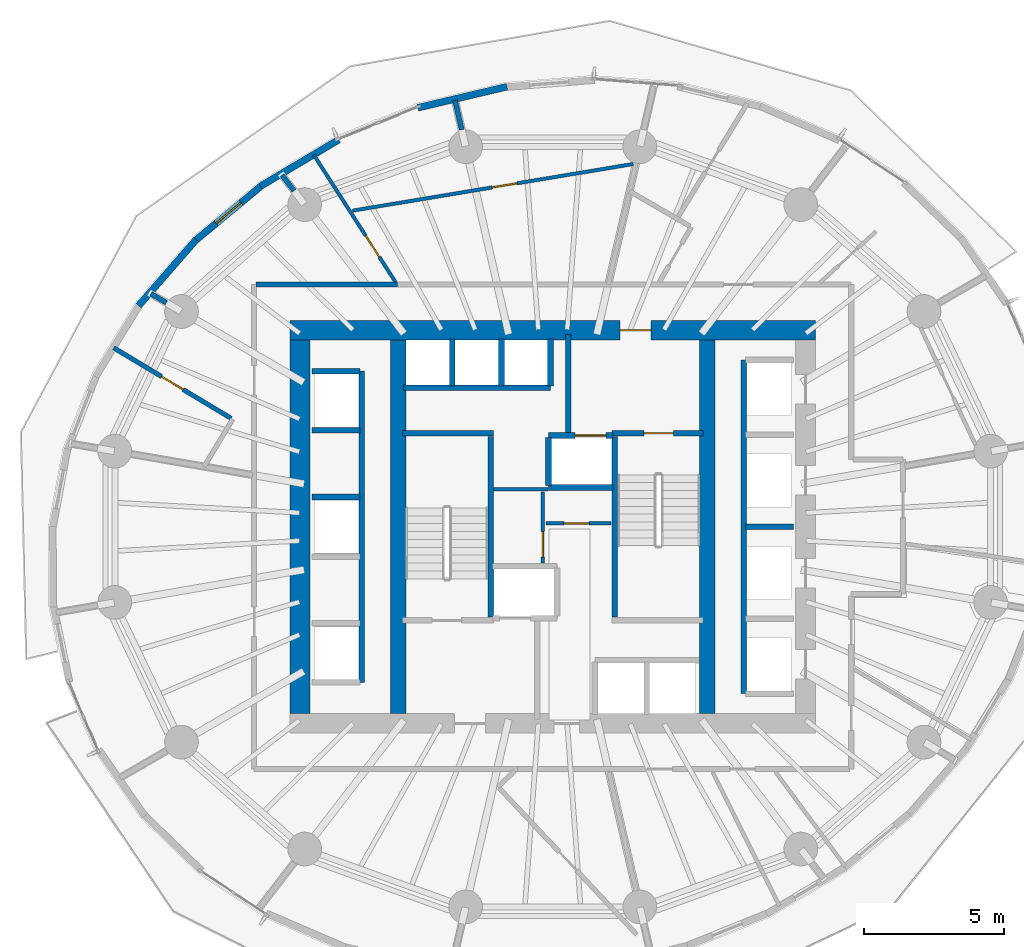
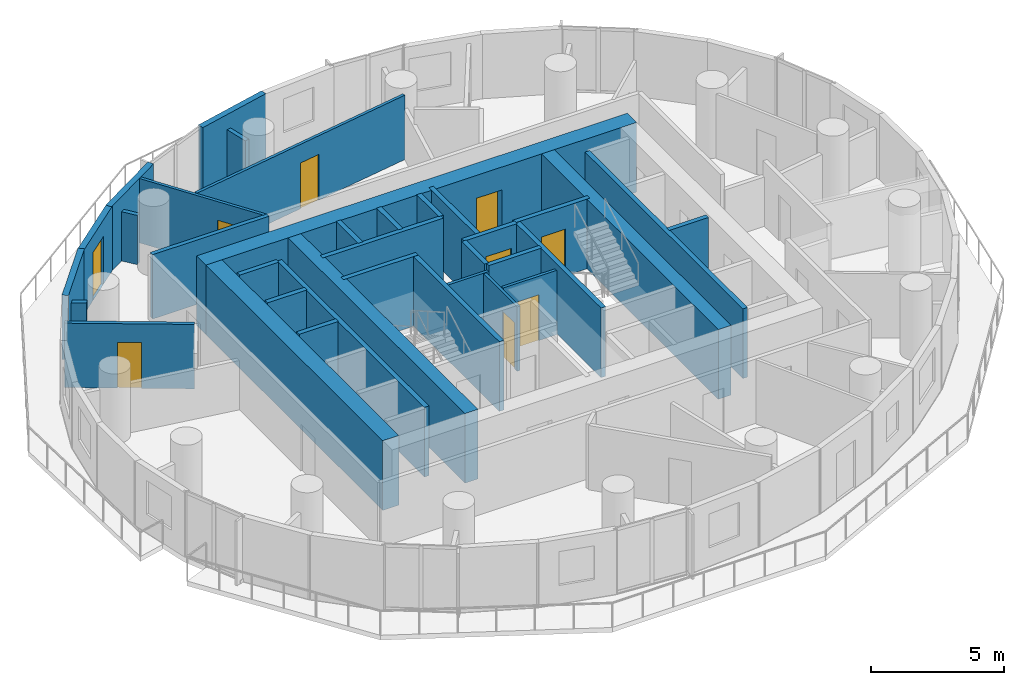
# One storey, part 8 of 14: 36 walls, 9 doors, 9 openings.
"""IFC4 building model written with IfcOpenShell, lengths in metres."""

from ifc_helpers import new_model, si_unit, direction, frame, frame_2d, origin, place, context, subcontext, project, spatial, rectangle, extrude, material, layer, layer_set, type_object, element, fill, save


model = new_model("IFC4")

# Units and contexts
model_context = context("Model", 3, precision=1e-05, world=origin(), true_north=direction((0.0, 1.0)))
body_context = subcontext(model_context, "Body", "Model", "MODEL_VIEW")
ifc_project = project(units=[si_unit("LENGTHUNIT", "METRE"), si_unit("AREAUNIT", "SQUARE_METRE"), si_unit("VOLUMEUNIT", "CUBIC_METRE"), si_unit("PLANEANGLEUNIT", "RADIAN"), si_unit("MASSUNIT", "GRAM", prefix="KILO")], contexts=[model_context])

# Site, building, storey
site_placement = place(None, origin())
site = spatial("IfcSite", under=ifc_project, at=site_placement, CompositionType="ELEMENT")
building_placement = place(site_placement, origin())
building = spatial("IfcBuilding", under=site, at=building_placement, Name="Veldorim Arch Residences", CompositionType="ELEMENT")
storey_placement = place(building_placement, frame((0.0, 0.0, 80.47998046875)))
storey = spatial("IfcBuildingStorey", under=building, at=storey_placement, Name="L23", CompositionType="ELEMENT", Elevation=80.47998046875)

# Wall, opening, door
ifc_material_1 = material(Name="Acoustic Gypsum Board", Category="gypsum")
ifc_layer_1 = layer(ifc_material_1, 0.125, Name="Acoustic Stud Room Partition Wall 125")
ifc_layer_set_1 = layer_set([ifc_layer_1], Name="Acoustic Gypsum Board")
wall_type_1 = type_object("IfcWallType", Name="Acoustic Stud Room Partition Wall 125", PredefinedType="PARTITIONING", material=ifc_layer_set_1)
wall_1_placement = place(storey_placement, frame((31.64990234375, 22.719970703125, 0.0), z_axis=(0.0, 0.0, 1.0), x_axis=(0.0, 1.0, 0.0)))
wall_1 = element("IfcWall", 1, at=wall_1_placement, inside=storey, type_object=wall_type_1, Name="L23 interior wall WL-CA-L23-1", PredefinedType="PARTITIONING", context=body_context, shape_type="SweptSolid", body=[
    extrude(rectangle(XDim=2.52001953125, YDim=0.125, at=frame_2d((1.260009765625, 0.0))), origin(), (0.0, 0.0, 1.0), 2.955078125),
])
opening_1_placement = place(wall_1_placement, frame((0.2099609375, 0.0, 0.0)))
opening_1 = element("IfcOpeningElement", 2, at=opening_1_placement, cuts=wall_1, Name="Opening DR-SVC", PredefinedType="OPENING", context=body_context, shape_type="SweptSolid", body=[
    extrude(rectangle(XDim=0.89990234375, YDim=2.10009765625, at=frame_2d((0.449951171875, 1.050048828125))), frame((0.0, 0.072509765625, 0.0), z_axis=(0.0, -1.0, 0.0), x_axis=(1.0, 0.0, 0.0)), (0.0, 0.0, 1.0), 0.14501953125),
])
ifc_material_2 = material(Name="Fire-Rated Steel", Category="steel")
door_type_1 = type_object("IfcDoorType", Name="Riser, Shelter & Plant Room Rated Steel Door 900x2100", OperationType="SINGLE_SWING_LEFT", PredefinedType="DOOR", material=ifc_material_2)
door_1_placement = place(opening_1_placement, origin())
door_1 = element("IfcDoor", 3, at=door_1_placement, inside=storey, type_object=door_type_1, Name="L23 interior door DR-L23-CA1", OperationType="SINGLE_SWING_LEFT", OverallHeight=2.10009765625, OverallWidth=0.89990234375, PredefinedType="DOOR", context=body_context, shape_type="SweptSolid", body=[
    extrude(rectangle(XDim=0.89990234375, YDim=2.10009765625, at=frame_2d((0.449951171875, 1.050048828125))), frame((0.0, 0.02490234375, 0.0), z_axis=(0.0, -1.0, 0.0), x_axis=(1.0, 0.0, 0.0)), (0.0, 0.0, 1.0), 0.050048828125),
])
fill(opening_1, door_1)

wall_2_placement = place(storey_placement, frame((31.760009765625, 24.1201171875, 0.0), z_axis=(0.0, 0.0, 1.0), x_axis=(1.0, 0.0, 0.0)))
wall_2 = element("IfcWall", 4, at=wall_2_placement, inside=storey, type_object=wall_type_1, Name="L23 interior wall WL-CA-L23-2", PredefinedType="PARTITIONING", context=body_context, shape_type="SweptSolid", body=[
    extrude(rectangle(XDim=2.320068359375, YDim=0.125, at=frame_2d((1.16015625, 0.0))), origin(), (0.0, 0.0, 1.0), 2.955078125),
])
opening_2_placement = place(wall_2_placement, frame((0.639892578125, 0.0, 0.0)))
opening_2 = element("IfcOpeningElement", 5, at=opening_2_placement, cuts=wall_2, Name="Opening DR-SVC", PredefinedType="OPENING", context=body_context, shape_type="SweptSolid", body=[
    extrude(rectangle(XDim=0.89990234375, YDim=2.10009765625, at=frame_2d((0.449951171875, 1.050048828125))), frame((0.0, 0.072509765625, 0.0), z_axis=(0.0, -1.0, 0.0), x_axis=(1.0, 0.0, 0.0)), (0.0, 0.0, 1.0), 0.14501953125),
])
door_2_placement = place(opening_2_placement, origin())
door_2 = element("IfcDoor", 6, at=door_2_placement, inside=storey, type_object=door_type_1, Name="L23 interior door DR-L23-CA2", OperationType="SINGLE_SWING_RIGHT", OverallHeight=2.10009765625, OverallWidth=0.89990234375, PredefinedType="DOOR", context=body_context, shape_type="SweptSolid", body=[
    extrude(rectangle(XDim=0.89990234375, YDim=2.10009765625, at=frame_2d((0.449951171875, 1.050048828125))), frame((0.0, 0.02490234375, 0.0), z_axis=(0.0, -1.0, 0.0), x_axis=(1.0, 0.0, 0.0)), (0.0, 0.0, 1.0), 0.050048828125),
])
fill(opening_2, door_2)

# Wall
wall_3_placement = place(storey_placement, frame((29.889892578125, 25.330078125, 0.0), z_axis=(0.0, 0.0, 1.0), x_axis=(1.0, 0.0, 0.0)))
element("IfcWall", 7, at=wall_3_placement, inside=storey, type_object=wall_type_1, Name="L23 interior wall WL-CA-L23-N", PredefinedType="PARTITIONING", context=body_context, shape_type="SweptSolid", body=[
    extrude(rectangle(XDim=1.940185546875, YDim=0.125, at=frame_2d((0.97021484375, 0.0))), origin(), (0.0, 0.0, 1.0), 2.955078125),
])

# Wall, opening, door
wall_4_placement = place(storey_placement, frame((23.490966796875, 37.242919921875, 0.0), z_axis=(0.0, 0.0, 1.0), x_axis=(0.540565030624, -0.841302233247, 0.0)))
wall_4 = element("IfcWall", 8, at=wall_4_placement, inside=storey, type_object=wall_type_1, Name="L23 interior wall WL-RES-L23-025", PredefinedType="PARTITIONING", context=body_context, shape_type="SweptSolid", body=[
    extrude(rectangle(XDim=5.383056640625, YDim=0.125, at=frame_2d((2.69140625, 0.0))), origin(), (0.0, 0.0, 1.0), 2.955078125),
])
opening_3_placement = place(wall_4_placement, frame((3.42041015625, 0.0, 0.0)))
opening_3 = element("IfcOpeningElement", 9, at=opening_3_placement, cuts=wall_4, Name="Opening DR-INT", PredefinedType="OPENING", context=body_context, shape_type="SweptSolid", body=[
    extrude(rectangle(XDim=0.89990234375, YDim=2.10009765625, at=frame_2d((0.449951171875, 1.050048828125))), frame((0.0, 0.072509765625, 0.0), z_axis=(0.0, -1.0, 0.0), x_axis=(1.0, 0.0, 0.0)), (0.0, 0.0, 1.0), 0.14501953125),
])
ifc_material_3 = material(Name="Engineered Timber", Category="wood")
door_type_2 = type_object("IfcDoorType", Name="Apartment Internal Room Timber Door 900x2100", OperationType="SINGLE_SWING_LEFT", PredefinedType="DOOR", material=ifc_material_3)
door_3_placement = place(opening_3_placement, origin())
door_3 = element("IfcDoor", 10, at=door_3_placement, inside=storey, type_object=door_type_2, Name="L23 interior door DR-RES-L23-013", OperationType="SINGLE_SWING_LEFT", OverallHeight=2.10009765625, OverallWidth=0.89990234375, PredefinedType="DOOR", context=body_context, shape_type="SweptSolid", body=[
    extrude(rectangle(XDim=0.89990234375, YDim=2.10009765625, at=frame_2d((0.449951171875, 1.050048828125))), frame((0.0, 0.02490234375, 0.0), z_axis=(0.0, -1.0, 0.0), x_axis=(1.0, 0.0, 0.0)), (0.0, 0.0, 1.0), 0.050048828125),
])
fill(opening_3, door_3)

wall_5_placement = place(storey_placement, frame((24.875, 35.2587890625, 0.0), z_axis=(0.0, 0.0, 1.0), x_axis=(0.986466792703, 0.163961174958, 0.0)))
wall_5 = element("IfcWall", 11, at=wall_5_placement, inside=storey, type_object=wall_type_1, Name="L23 interior wall WL-RES-L23-027", PredefinedType="PARTITIONING", context=body_context, shape_type="SweptSolid", body=[
    extrude(rectangle(XDim=10.128173828125, YDim=0.125, at=frame_2d((5.06396484375, 0.0))), origin(), (0.0, 0.0, 1.0), 2.955078125),
])
opening_4_placement = place(wall_5_placement, frame((5.0341796875, 0.0, 0.0)))
opening_4 = element("IfcOpeningElement", 12, at=opening_4_placement, cuts=wall_5, Name="Opening DR-INT", PredefinedType="OPENING", context=body_context, shape_type="SweptSolid", body=[
    extrude(rectangle(XDim=0.89990234375, YDim=2.10009765625, at=frame_2d((0.449951171875, 1.050048828125))), frame((0.0, 0.072509765625, 0.0), z_axis=(0.0, -1.0, 0.0), x_axis=(1.0, 0.0, 0.0)), (0.0, 0.0, 1.0), 0.14501953125),
])
door_4_placement = place(opening_4_placement, origin())
door_4 = element("IfcDoor", 13, at=door_4_placement, inside=storey, type_object=door_type_2, Name="L23 interior door DR-RES-L23-014", OperationType="SINGLE_SWING_RIGHT", OverallHeight=2.10009765625, OverallWidth=0.89990234375, PredefinedType="DOOR", context=body_context, shape_type="SweptSolid", body=[
    extrude(rectangle(XDim=0.89990234375, YDim=2.10009765625, at=frame_2d((0.449951171875, 1.050048828125))), frame((0.0, 0.02490234375, 0.0), z_axis=(0.0, -1.0, 0.0), x_axis=(1.0, 0.0, 0.0)), (0.0, 0.0, 1.0), 0.050048828125),
])
fill(opening_4, door_4)

# Walls
ifc_material_4 = material(Name="Lightweight Masonry Block & Gypsum", Category="masonry")
ifc_layer_2 = layer(ifc_material_4, 0.179931640625, Name="Compartment & Corridor Fire-Rated Party Wall 180")
ifc_layer_set_2 = layer_set([ifc_layer_2], Name="Lightweight Masonry Block & Gypsum")
wall_type_2 = type_object("IfcWallType", Name="Compartment & Corridor Fire-Rated Party Wall 180", PredefinedType="PARTITIONING", material=ifc_layer_set_2)
wall_6_placement = place(storey_placement, frame((28.759521484375, 38.13916015625, 0.0), z_axis=(0.0, 0.0, 1.0), x_axis=(-0.223308362472, 0.974747852139, 0.0)))
element("IfcWall", 14, at=wall_6_placement, inside=storey, type_object=wall_type_2, Name="L23 interior wall WL-PIER-L23-05", PredefinedType="PARTITIONING", context=body_context, shape_type="SweptSolid", body=[
    extrude(rectangle(XDim=1.0693359375, YDim=0.179931640625, at=frame_2d((0.53466796875, 0.0))), origin(), (0.0, 0.0, 1.0), 2.260498046875),
])
wall_7_placement = place(storey_placement, frame((22.7880859375, 35.965576171875, 0.0), z_axis=(0.0, 0.0, 1.0), x_axis=(-0.609945476355, 0.792443383387, 0.0)))
element("IfcWall", 15, at=wall_7_placement, inside=storey, type_object=wall_type_2, Name="L23 interior wall WL-PIER-L23-06", PredefinedType="PARTITIONING", context=body_context, shape_type="SweptSolid", body=[
    extrude(rectangle(XDim=0.70361328125, YDim=0.179931640625, at=frame_2d((0.351806640625, 0.0))), origin(), (0.0, 0.0, 1.0), 2.260498046875),
])
wall_8_placement = place(storey_placement, frame((18.243408203125, 31.977783203125, 0.0), z_axis=(0.0, 0.0, 1.0), x_axis=(-0.864928236137, 0.501895553212, 0.0)))
element("IfcWall", 16, at=wall_8_placement, inside=storey, type_object=wall_type_2, Name="L23 interior wall WL-PIER-L23-07", PredefinedType="PARTITIONING", context=body_context, shape_type="SweptSolid", body=[
    extrude(rectangle(XDim=0.63818359375, YDim=0.179931640625, at=frame_2d((0.319091796875, 0.0))), origin(), (0.0, 0.0, 1.0), 2.260498046875),
])
wall_9_placement = place(storey_placement, frame((21.429931640625, 32.6298828125, 0.0), z_axis=(0.0, 0.0, 1.0), x_axis=(1.0, 0.0, 0.0)))
element("IfcWall", 17, at=wall_9_placement, inside=storey, type_object=wall_type_2, Name="L23 interior wall WL-RES-L23-009", PredefinedType="PARTITIONING", context=body_context, shape_type="SweptSolid", body=[
    extrude(rectangle(XDim=5.044921875, YDim=0.179931640625, at=frame_2d((2.5224609375, 0.0))), origin(), (0.0, 0.0, 1.0), 2.955078125),
])
ifc_material_5 = material(Name="Concrete C50/60", Category="concrete")
ifc_layer_3 = layer(ifc_material_5, 0.199951171875, Name="Core Stair & Lift Shaft Enclosure Wall 200")
ifc_layer_set_3 = layer_set([ifc_layer_3], Name="Concrete C50/60")
wall_type_3 = type_object("IfcWallType", Name="Core Stair & Lift Shaft Enclosure Wall 200", PredefinedType="SHEAR", material=ifc_layer_set_3)
wall_10_placement = place(storey_placement, frame((29.7900390625, 20.780029296875, 0.0), z_axis=(0.0, 0.0, 1.0), x_axis=(0.0, 1.0, 0.0)))
element("IfcWall", 18, at=wall_10_placement, inside=storey, type_object=wall_type_3, Name="L23 shaft wall WL-SHF-L23-ST1-E", PredefinedType="SHEAR", context=body_context, shape_type="SweptSolid", body=[
    extrude(rectangle(XDim=6.43994140625, YDim=0.199951171875, at=frame_2d((3.219970703125, 0.0))), origin(), (0.0, 0.0, 1.0), 3.199951171875),
])
wall_11_placement = place(storey_placement, frame((26.64990234375, 27.330078125, 0.0), z_axis=(0.0, 0.0, 1.0), x_axis=(1.0, 0.0, 0.0)))
element("IfcWall", 19, at=wall_11_placement, inside=storey, type_object=wall_type_3, Name="L23 shaft wall WL-SHF-L23-ST1-N", PredefinedType="SHEAR", context=body_context, shape_type="SweptSolid", body=[
    extrude(rectangle(XDim=3.239990234375, YDim=0.199951171875, at=frame_2d((1.6201171875, 0.0))), origin(), (0.0, 0.0, 1.0), 3.199951171875),
])
wall_12_placement = place(storey_placement, frame((34.2099609375, 20.780029296875, 0.0), z_axis=(0.0, 0.0, 1.0), x_axis=(0.0, 1.0, 0.0)))
element("IfcWall", 20, at=wall_12_placement, inside=storey, type_object=wall_type_3, Name="L23 shaft wall WL-SHF-L23-ST2-W", PredefinedType="SHEAR", context=body_context, shape_type="SweptSolid", body=[
    extrude(rectangle(XDim=6.43994140625, YDim=0.199951171875, at=frame_2d((3.219970703125, 0.0))), origin(), (0.0, 0.0, 1.0), 3.199951171875),
])

# Wall, opening, door
wall_13_placement = place(storey_placement, frame((34.110107421875, 27.330078125, 0.0), z_axis=(0.0, 0.0, 1.0), x_axis=(1.0, 0.0, 0.0)))
wall_13 = element("IfcWall", 21, at=wall_13_placement, inside=storey, type_object=wall_type_3, Name="L23 shaft wall WL-SHF-L23-ST2-N", PredefinedType="SHEAR", context=body_context, shape_type="SweptSolid", body=[
    extrude(rectangle(XDim=3.239990234375, YDim=0.199951171875, at=frame_2d((1.6201171875, 0.0))), origin(), (0.0, 0.0, 1.0), 3.199951171875),
])
opening_5_placement = place(wall_13_placement, frame((1.135009765625, 0.0, 0.0)))
opening_5 = element("IfcOpeningElement", 22, at=opening_5_placement, cuts=wall_13, Name="Opening DR-ST", PredefinedType="OPENING", context=body_context, shape_type="SweptSolid", body=[
    extrude(rectangle(XDim=1.050048828125, YDim=2.14990234375, at=frame_2d((0.52490234375, 1.074951171875))), frame((0.0, 0.10986328125, 0.0), z_axis=(0.0, -1.0, 0.0), x_axis=(1.0, 0.0, 0.0)), (0.0, 0.0, 1.0), 0.219970703125),
])
ifc_material_6 = material(Name="Fire-Rated Steel", Category="steel")
door_type_3 = type_object("IfcDoorType", Name="Exit Staircase Self-Closing Fire Door 1050x2150", OperationType="SINGLE_SWING_LEFT", PredefinedType="DOOR", material=ifc_material_6)
door_5_placement = place(opening_5_placement, origin())
door_5 = element("IfcDoor", 23, at=door_5_placement, inside=storey, type_object=door_type_3, Name="L23 interior door DR-L23-ST2", OperationType="SINGLE_SWING_RIGHT", OverallHeight=2.14990234375, OverallWidth=1.050048828125, PredefinedType="DOOR", context=body_context, shape_type="SweptSolid", body=[
    extrude(rectangle(XDim=1.050048828125, YDim=2.14990234375, at=frame_2d((0.52490234375, 1.074951171875))), frame((0.0, 0.02490234375, 0.0), z_axis=(0.0, -1.0, 0.0), x_axis=(1.0, 0.0, 0.0)), (0.0, 0.0, 1.0), 0.050048828125),
])
fill(opening_5, door_5)

# Wall
wall_14_placement = place(storey_placement, frame((32.550048828125, 27.35009765625, 0.0), z_axis=(0.0, 0.0, 1.0), x_axis=(0.0, 1.0, 0.0)))
element("IfcWall", 24, at=wall_14_placement, inside=storey, type_object=wall_type_3, Name="L23 shaft wall WL-FFL2-L23-W", PredefinedType="SHEAR", context=body_context, shape_type="SweptSolid", body=[
    extrude(rectangle(XDim=3.5, YDim=0.199951171875, at=frame_2d((1.75, 0.0))), origin(), (0.0, 0.0, 1.0), 3.199951171875),
])

# Wall, opening, door
wall_15_placement = place(storey_placement, frame((31.85009765625, 27.25, 0.0), z_axis=(0.0, 0.0, 1.0), x_axis=(1.0, 0.0, 0.0)))
wall_15 = element("IfcWall", 25, at=wall_15_placement, inside=storey, type_object=wall_type_3, Name="L23 shaft wall WL-FL02-L23-N", PredefinedType="SHEAR", context=body_context, shape_type="SweptSolid", body=[
    extrude(rectangle(XDim=2.2998046875, YDim=0.199951171875, at=frame_2d((1.14990234375, 0.0))), origin(), (0.0, 0.0, 1.0), 3.199951171875),
])
opening_6_placement = place(wall_15_placement, frame((0.949951171875, 0.0, 0.0)))
opening_6 = element("IfcOpeningElement", 26, at=opening_6_placement, cuts=wall_15, Name="Opening LD-FF", PredefinedType="OPENING", context=body_context, shape_type="SweptSolid", body=[
    extrude(rectangle(XDim=1.10009765625, YDim=2.14990234375, at=frame_2d((0.550048828125, 1.074951171875))), frame((0.0, 0.10986328125, 0.0), z_axis=(0.0, -1.0, 0.0), x_axis=(1.0, 0.0, 0.0)), (0.0, 0.0, 1.0), 0.219970703125),
])
ifc_material_7 = material(Name="Stainless Steel", Category="steel")
door_type_4 = type_object("IfcDoorType", Name="Firefighting Lift Bi-Parting Sliding Landing Door 1100x2150", OperationType="DOUBLE_DOOR_SLIDING", PredefinedType="DOOR", material=ifc_material_7)
door_6_placement = place(opening_6_placement, origin())
door_6 = element("IfcDoor", 27, at=door_6_placement, inside=storey, type_object=door_type_4, Name="L23 lift landing door LD-L23-FL02", OperationType="DOUBLE_DOOR_SLIDING", OverallHeight=2.14990234375, OverallWidth=1.10009765625, PredefinedType="DOOR", context=body_context, shape_type="SweptSolid", body=[
    extrude(rectangle(XDim=1.10009765625, YDim=2.14990234375, at=frame_2d((0.550048828125, 1.074951171875))), frame((0.0, 0.02490234375, 0.0), z_axis=(0.0, -1.0, 0.0), x_axis=(1.0, 0.0, 0.0)), (0.0, 0.0, 1.0), 0.050048828125),
])
fill(opening_6, door_6)

# Walls
wall_16_placement = place(storey_placement, frame((31.85009765625, 25.39990234375, 0.0), z_axis=(0.0, 0.0, 1.0), x_axis=(1.0, 0.0, 0.0)))
element("IfcWall", 28, at=wall_16_placement, inside=storey, type_object=wall_type_3, Name="L23 shaft wall WL-FL02-L23-S", PredefinedType="SHEAR", context=body_context, shape_type="SweptSolid", body=[
    extrude(rectangle(XDim=2.2998046875, YDim=0.199951171875, at=frame_2d((1.14990234375, 0.0))), origin(), (0.0, 0.0, 1.0), 3.199951171875),
])
wall_17_placement = place(storey_placement, frame((31.85009765625, 25.469970703125, 0.0), z_axis=(0.0, 0.0, 1.0), x_axis=(0.0, 1.0, 0.0)))
element("IfcWall", 29, at=wall_17_placement, inside=storey, type_object=wall_type_3, Name="L23 shaft wall WL-FL02-L23-W", PredefinedType="SHEAR", context=body_context, shape_type="SweptSolid", body=[
    extrude(rectangle(XDim=1.7099609375, YDim=0.199951171875, at=frame_2d((0.85498046875, 0.0))), origin(), (0.0, 0.0, 1.0), 3.199951171875),
])
wall_18_placement = place(storey_placement, frame((38.800048828125, 18.06005859375, 0.0), z_axis=(0.0, 0.0, 1.0), x_axis=(0.0, 1.0, 0.0)))
element("IfcWall", 30, at=wall_18_placement, inside=storey, type_object=wall_type_3, Name="L23 shaft wall WL-B1-L23-W", PredefinedType="SHEAR", context=body_context, shape_type="SweptSolid", body=[
    extrude(rectangle(XDim=11.8798828125, YDim=0.199951171875, at=frame_2d((5.93994140625, 0.0))), origin(), (0.0, 0.0, 1.0), 3.199951171875),
])
wall_19_placement = place(storey_placement, frame((38.8701171875, 24.0, 0.0), z_axis=(0.0, 0.0, 1.0), x_axis=(1.0, 0.0, 0.0)))
element("IfcWall", 31, at=wall_19_placement, inside=storey, type_object=wall_type_3, Name="L23 shaft wall WL-B1-L23-D2", PredefinedType="SHEAR", context=body_context, shape_type="SweptSolid", body=[
    extrude(rectangle(XDim=1.7099609375, YDim=0.199951171875, at=frame_2d((0.85498046875, 0.0))), origin(), (0.0, 0.0, 1.0), 3.199951171875),
])
wall_20_placement = place(storey_placement, frame((25.199951171875, 18.4599609375, 0.0), z_axis=(0.0, 0.0, 1.0), x_axis=(0.0, 1.0, 0.0)))
element("IfcWall", 32, at=wall_20_placement, inside=storey, type_object=wall_type_3, Name="L23 shaft wall WL-B2-L23-E", PredefinedType="SHEAR", context=body_context, shape_type="SweptSolid", body=[
    extrude(rectangle(XDim=11.080078125, YDim=0.199951171875, at=frame_2d((5.5400390625, 0.0))), origin(), (0.0, 0.0, 1.0), 3.199951171875),
])
for number, where, z_axis, x_axis, name in (
    (33, (23.419921875, 29.5400390625, 0.0), (0.0, 0.0, 1.0), (1.0, 0.0, 0.0), "L23 shaft wall WL-B2-L23-N"),
    (34, (23.419921875, 25.06005859375, 0.0), (0.0, 0.0, 1.0), (1.0, 0.0, 0.0), "L23 shaft wall WL-B2-L23-D2A"),
    (35, (23.419921875, 27.43994140625, 0.0), (0.0, 0.0, 1.0), (1.0, 0.0, 0.0), "L23 shaft wall WL-B2-L23-D2B"),
):
    element("IfcWall", number, at=place(storey_placement, frame(where, z_axis=z_axis, x_axis=x_axis)), inside=storey, type_object=wall_type_3, Name=name, PredefinedType="SHEAR", context=body_context, shape_type="SweptSolid", body=[
        extrude(rectangle(XDim=1.7099609375, YDim=0.199951171875, at=frame_2d((0.85498046875, 0.0))), origin(), (0.0, 0.0, 1.0), 3.199951171875),
    ])
wall_21_placement = place(storey_placement, frame((26.679931640625, 28.949951171875, 0.0), z_axis=(0.0, 0.0, 1.0), x_axis=(1.0, 0.0, 0.0)))
element("IfcWall", 36, at=wall_21_placement, inside=storey, type_object=wall_type_3, Name="L23 shaft wall WL-B3-L23-S", PredefinedType="SHEAR", context=body_context, shape_type="SweptSolid", body=[
    extrude(rectangle(XDim=5.239990234375, YDim=0.199951171875, at=frame_2d((2.6201171875, 0.0))), origin(), (0.0, 0.0, 1.0), 3.199951171875),
])
for number, where, z_axis, x_axis, name in (
    (37, (31.919921875, 29.02001953125, 0.0), (0.0, 0.0, 1.0), (0.0, 1.0, 0.0), "L23 shaft wall WL-B3-L23-E"),
    (38, (28.425048828125, 29.02001953125, 0.0), (0.0, 0.0, 1.0), (0.0, 1.0, 0.0), "L23 shaft wall WL-B3-L23-D1"),
    (39, (30.175048828125, 29.02001953125, 0.0), (0.0, 0.0, 1.0), (0.0, 1.0, 0.0), "L23 shaft wall WL-B3-L23-D2"),
):
    element("IfcWall", number, at=place(storey_placement, frame(where, z_axis=z_axis, x_axis=x_axis)), inside=storey, type_object=wall_type_3, Name=name, PredefinedType="SHEAR", context=body_context, shape_type="SweptSolid", body=[
        extrude(rectangle(XDim=1.659912109375, YDim=0.199951171875, at=frame_2d((0.830078125, 0.0))), origin(), (0.0, 0.0, 1.0), 3.199951171875),
    ])
ifc_material_8 = material(Name="Concrete C60/75", Category="concrete")
ifc_layer_4 = layer(ifc_material_8, 0.56005859375, Name="Internal Core Shear Web Wall 560")
ifc_layer_set_4 = layer_set([ifc_layer_4], Name="Concrete C60/75")
wall_type_4 = type_object("IfcWallType", Name="Internal Core Shear Web Wall 560", PredefinedType="SHEAR", material=ifc_layer_set_4)
for number, where, z_axis, x_axis, name in (
    (40, (26.5, 17.35009765625, 0.0), (0.0, 0.0, 1.0), (0.0, 1.0, 0.0), "L23 core west internal shear web"),
    (41, (37.5, 17.35009765625, 0.0), (0.0, 0.0, 1.0), (0.0, 1.0, 0.0), "L23 core east internal shear web"),
):
    element("IfcWall", number, at=place(storey_placement, frame(where, z_axis=z_axis, x_axis=x_axis)), inside=storey, type_object=wall_type_4, Name=name, PredefinedType="SHEAR", context=body_context, shape_type="SweptSolid", body=[
        extrude(rectangle(XDim=13.2998046875, YDim=0.56005859375, at=frame_2d((6.64990234375, 0.0))), origin(), (0.0, 0.0, 1.0), 3.199951171875),
    ])

# Wall, opening, door
ifc_material_9 = material(Name="Concrete C60/75", Category="concrete")
ifc_layer_5 = layer(ifc_material_9, 0.699951171875, Name="Mid-Lower Central Core Shear Wall 700")
ifc_layer_set_5 = layer_set([ifc_layer_5], Name="Concrete C60/75")
wall_type_5 = type_object("IfcWallType", Name="Mid-Lower Central Core Shear Wall 700", PredefinedType="SHEAR", material=ifc_layer_set_5)
wall_22_placement = place(storey_placement, frame((22.64990234375, 31.0, 0.0), z_axis=(0.0, 0.0, 1.0), x_axis=(1.0, 0.0, 0.0)))
wall_22 = element("IfcWall", 42, at=wall_22_placement, inside=storey, type_object=wall_type_5, Name="L23 central core north shear wall", PredefinedType="SHEAR", context=body_context, shape_type="SweptSolid", body=[
    extrude(rectangle(XDim=18.7001953125, YDim=0.699951171875, at=frame_2d((9.35009765625, 0.0))), origin(), (0.0, 0.0, 1.0), 3.199951171875),
])
opening_7_placement = place(wall_22_placement, frame((11.75, 0.0, 0.0)))
opening_7 = element("IfcOpeningElement", 43, at=opening_7_placement, cuts=wall_22, Name="Opening DR-FFL", PredefinedType="OPENING", context=body_context, shape_type="SweptSolid", body=[
    extrude(rectangle(XDim=1.10009765625, YDim=2.14990234375, at=frame_2d((0.550048828125, 1.074951171875))), frame((0.0, 0.35986328125, 0.0), z_axis=(0.0, -1.0, 0.0), x_axis=(1.0, 0.0, 0.0)), (0.0, 0.0, 1.0), 0.719970703125),
])
ifc_material_10 = material(Name="Fire-Rated Steel & Vision Glass", Category="steel")
door_type_5 = type_object("IfcDoorType", Name="Firefighting Lobby Smoke-Stop Fire Door 1100x2150", OperationType="SINGLE_SWING_LEFT", PredefinedType="DOOR", material=ifc_material_10)
door_7_placement = place(opening_7_placement, origin())
door_7 = element("IfcDoor", 44, at=door_7_placement, inside=storey, type_object=door_type_5, Name="L23 interior door DR-L23-FFL2", OperationType="SINGLE_SWING_LEFT", OverallHeight=2.14990234375, OverallWidth=1.10009765625, PredefinedType="DOOR", context=body_context, shape_type="SweptSolid", body=[
    extrude(rectangle(XDim=1.10009765625, YDim=2.14990234375, at=frame_2d((0.550048828125, 1.074951171875))), frame((0.0, 0.02490234375, 0.0), z_axis=(0.0, -1.0, 0.0), x_axis=(1.0, 0.0, 0.0)), (0.0, 0.0, 1.0), 0.050048828125),
])
fill(opening_7, door_7)

# Walls
wall_23_placement = place(storey_placement, frame((23.0, 17.35009765625, 0.0), z_axis=(0.0, 0.0, 1.0), x_axis=(0.0, 1.0, 0.0)))
element("IfcWall", 45, at=wall_23_placement, inside=storey, type_object=wall_type_5, Name="L23 central core west shear wall", PredefinedType="SHEAR", context=body_context, shape_type="SweptSolid", body=[
    extrude(rectangle(XDim=13.2998046875, YDim=0.699951171875, at=frame_2d((6.64990234375, 0.0))), origin(), (0.0, 0.0, 1.0), 3.199951171875),
])
ifc_material_11 = material(Name="Precast concrete C40/50", Category="concrete")
ifc_layer_6 = layer(ifc_material_11, 0.25, Name="Tower Terracotta Spandrel & Pier Wall 250")
ifc_layer_set_6 = layer_set([ifc_layer_6], Name="Precast concrete C40/50")
wall_type_6 = type_object("IfcWallType", Name="Tower Terracotta Spandrel & Pier Wall 250", PredefinedType="SOLIDWALL", material=ifc_layer_set_6)
wall_24_placement = place(storey_placement, frame((27.197021484375, 38.925048828125, 0.0), z_axis=(0.0, 0.0, 1.0), x_axis=(0.973185832187, 0.230020294824, 0.0)))
element("IfcWall", 46, at=wall_24_placement, inside=storey, type_object=wall_type_6, Name="L23 terracotta facade wall 09", PredefinedType="SOLIDWALL", context=body_context, shape_type="SweptSolid", body=[
    extrude(rectangle(XDim=3.259521484375, YDim=0.25, at=frame_2d((1.6298828125, 0.0))), origin(), (0.0, 0.0, 1.0), 2.9599609375),
])
wall_25_placement = place(storey_placement, frame((21.593994140625, 36.13232421875, 0.0), z_axis=(0.0, 0.0, 1.0), x_axis=(0.859543053771, 0.511063341196, 0.0)))
element("IfcWall", 47, at=wall_25_placement, inside=storey, type_object=wall_type_6, Name="L23 terracotta facade wall 11", PredefinedType="SOLIDWALL", context=body_context, shape_type="SweptSolid", body=[
    extrude(rectangle(XDim=3.236083984375, YDim=0.25, at=frame_2d((1.6181640625, 0.0))), origin(), (0.0, 0.0, 1.0), 2.9599609375),
])

# Wall, opening, door
wall_26_placement = place(storey_placement, frame((19.2265625, 34.1572265625, 0.0), z_axis=(0.0, 0.0, 1.0), x_axis=(0.769611275013, 0.638512713557, 0.0)))
wall_26 = element("IfcWall", 48, at=wall_26_placement, inside=storey, type_object=wall_type_6, Name="L23 terracotta facade wall 12", PredefinedType="SOLIDWALL", context=body_context, shape_type="SweptSolid", body=[
    extrude(rectangle(XDim=3.19189453125, YDim=0.25, at=frame_2d((1.595947265625, 0.0))), origin(), (0.0, 0.0, 1.0), 2.9599609375),
])
opening_8_placement = place(wall_26_placement, frame((1.02099609375, 0.0, 0.0)))
opening_8 = element("IfcOpeningElement", 49, at=opening_8_placement, cuts=wall_26, Name="Opening BL-DR", PredefinedType="OPENING", context=body_context, shape_type="SweptSolid", body=[
    extrude(rectangle(XDim=1.14990234375, YDim=2.199951171875, at=frame_2d((0.574951171875, 1.10009765625))), frame((0.0, 0.135009765625, 0.0), z_axis=(0.0, -1.0, 0.0), x_axis=(1.0, 0.0, 0.0)), (0.0, 0.0, 1.0), 0.27001953125),
])
ifc_material_12 = material(Name="Aluminium & Low-E Glass", Category="aluminium")
door_type_6 = type_object("IfcDoorType", Name="Glazed Planted Balcony Door 1150x2200", OperationType="SINGLE_SWING_LEFT", PredefinedType="DOOR", material=ifc_material_12)
door_8_placement = place(opening_8_placement, origin())
door_8 = element("IfcDoor", 50, at=door_8_placement, inside=storey, type_object=door_type_6, Name="L23 glazed outdoor terrace door BALC-1", OperationType="SINGLE_SWING_RIGHT", OverallHeight=2.199951171875, OverallWidth=1.14990234375, PredefinedType="DOOR", context=body_context, shape_type="SweptSolid", body=[
    extrude(rectangle(XDim=1.14990234375, YDim=2.199951171875, at=frame_2d((0.574951171875, 1.10009765625))), frame((0.0, 0.02490234375, 0.0), z_axis=(0.0, -1.0, 0.0), x_axis=(1.0, 0.0, 0.0)), (0.0, 0.0, 1.0), 0.050048828125),
])
fill(opening_8, door_8)

# Wall
wall_27_placement = place(storey_placement, frame((17.248291015625, 31.873291015625, 0.0), z_axis=(0.0, 0.0, 1.0), x_axis=(0.656940925155, 0.753942054044, 0.0)))
element("IfcWall", 51, at=wall_27_placement, inside=storey, type_object=wall_type_6, Name="L23 terracotta facade wall 13", PredefinedType="SOLIDWALL", context=body_context, shape_type="SweptSolid", body=[
    extrude(rectangle(XDim=3.131103515625, YDim=0.25, at=frame_2d((1.5654296875, 0.0))), origin(), (0.0, 0.0, 1.0), 2.9599609375),
])

# Wall, opening, door
ifc_material_13 = material(Name="Moisture-Resistant Gypsum & Stud", Category="gypsum")
ifc_layer_7 = layer(ifc_material_13, 0.159912109375, Name="Wet-Area Moisture-Resistant Plumbing Wall 160")
ifc_layer_set_7 = layer_set([ifc_layer_7], Name="Moisture-Resistant Gypsum & Stud")
wall_type_7 = type_object("IfcWallType", Name="Wet-Area Moisture-Resistant Plumbing Wall 160", PredefinedType="PLUMBINGWALL", material=ifc_layer_set_7)
wall_28_placement = place(storey_placement, frame((20.548583984375, 27.86181640625, 0.0), z_axis=(0.0, 0.0, 1.0), x_axis=(-0.857214854591, 0.514958923672, 0.0)))
wall_28 = element("IfcWall", 52, at=wall_28_placement, inside=storey, type_object=wall_type_7, Name="L23 interior wall WL-RES-L23-024", PredefinedType="PLUMBINGWALL", context=body_context, shape_type="SweptSolid", body=[
    extrude(rectangle(XDim=4.8828125, YDim=0.159912109375, at=frame_2d((2.44140625, 0.0))), origin(), (0.0, 0.0, 1.0), 2.955078125),
])
opening_9_placement = place(wall_28_placement, frame((1.991455078125, 0.0, 0.0)))
opening_9 = element("IfcOpeningElement", 53, at=opening_9_placement, cuts=wall_28, Name="Opening DR-WC", PredefinedType="OPENING", context=body_context, shape_type="SweptSolid", body=[
    extrude(rectangle(XDim=0.89990234375, YDim=2.10009765625, at=frame_2d((0.449951171875, 1.050048828125))), frame((0.0, 0.08984375, 0.0), z_axis=(0.0, -1.0, 0.0), x_axis=(1.0, 0.0, 0.0)), (0.0, 0.0, 1.0), 0.179931640625),
])
ifc_material_14 = material(Name="Laminate Timber", Category="wood")
door_type_7 = type_object("IfcDoorType", Name="Bathroom & Accessible WC Moisture-Sealed Door 900x2100", OperationType="SINGLE_SWING_LEFT", PredefinedType="DOOR", material=ifc_material_14)
door_9_placement = place(opening_9_placement, origin())
door_9 = element("IfcDoor", 54, at=door_9_placement, inside=storey, type_object=door_type_7, Name="L23 interior door DR-RES-L23-012", OperationType="SINGLE_SWING_RIGHT", OverallHeight=2.10009765625, OverallWidth=0.89990234375, PredefinedType="DOOR", context=body_context, shape_type="SweptSolid", body=[
    extrude(rectangle(XDim=0.89990234375, YDim=2.10009765625, at=frame_2d((0.449951171875, 1.050048828125))), frame((0.0, 0.02490234375, 0.0), z_axis=(0.0, -1.0, 0.0), x_axis=(1.0, 0.0, 0.0)), (0.0, 0.0, 1.0), 0.050048828125),
])
fill(opening_9, door_9)

save(model, "model.ifc")
